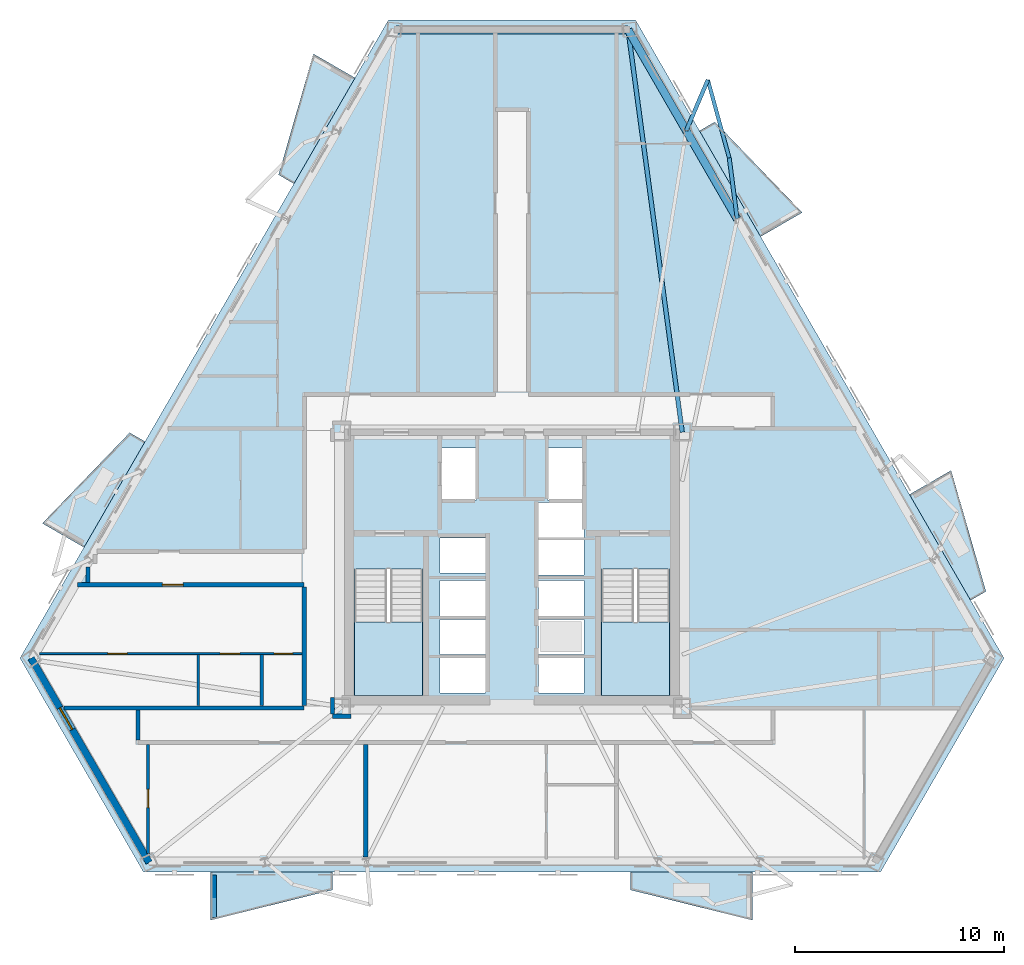
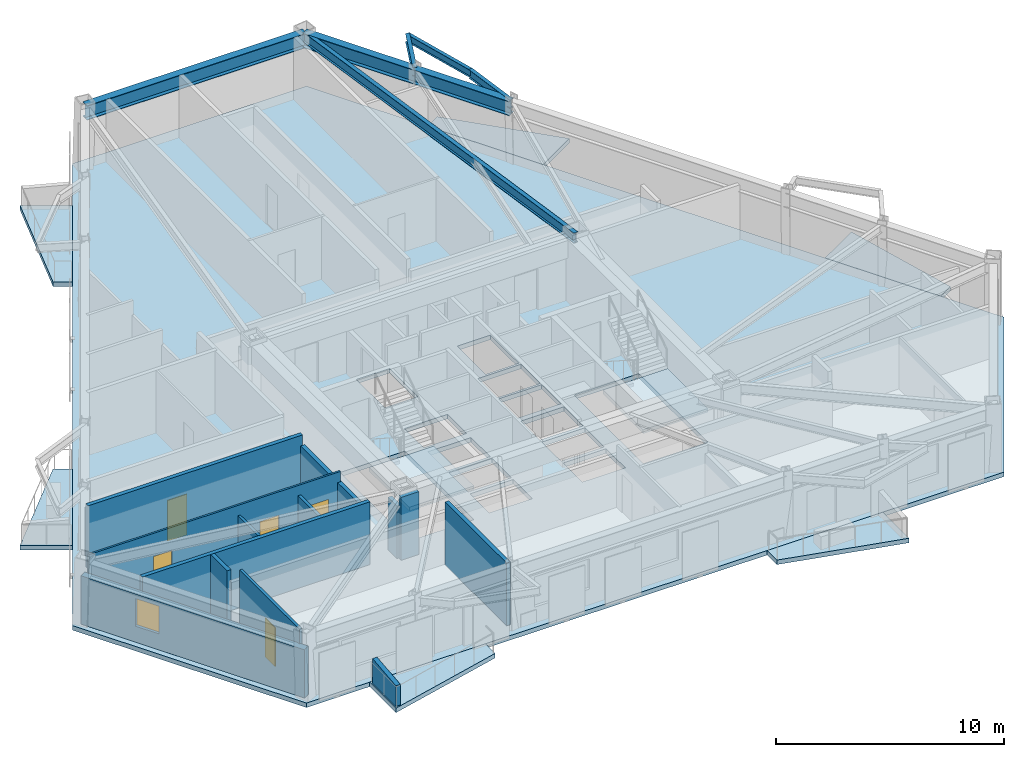
# One storey, part 2 of 11: 14 walls, 9 slabs, 7 beams, 5 doors, 1 window, 6 openings, 2 elements without a shape of their own.
"""IFC4 building model written with IfcOpenShell, lengths in metres."""

from ifc_helpers import new_model, si_unit, direction, frame, frame_2d, origin, origin_2d, place, context, subcontext, project, spatial, polyline, rectangle, i_section, outline, extrude, material, layer, layer_set, material_profile, profile_set, type_object, element, fill, aggregate, save


model = new_model("IFC4")

# Units and contexts
model_context = context("Model", 3, precision=1e-05, world=origin(), true_north=direction((0.0, 1.0)))
body_context = subcontext(model_context, "Body", "Model", "MODEL_VIEW")
ifc_project = project(units=[si_unit("LENGTHUNIT", "METRE"), si_unit("AREAUNIT", "SQUARE_METRE"), si_unit("VOLUMEUNIT", "CUBIC_METRE"), si_unit("PLANEANGLEUNIT", "RADIAN"), si_unit("MASSUNIT", "GRAM", prefix="KILO")], contexts=[model_context])

# Site, building, storey
site_placement = place(None, origin())
site = spatial("IfcSite", under=ifc_project, at=site_placement, CompositionType="ELEMENT")
building_placement = place(site_placement, origin())
building = spatial("IfcBuilding", under=site, at=building_placement, Name="Oramaril Tower", CompositionType="ELEMENT")
storey_placement = place(building_placement, frame((0.0, 0.0, 112.199951171875)))
storey = spatial("IfcBuildingStorey", under=building, at=storey_placement, Name="L29", CompositionType="ELEMENT", Elevation=112.199951171875)

# Beams
ifc_material_1 = material(Name="Steel ASTM A572 Gr 50", Category="steel")
ifc_material_profile_1 = material_profile(ifc_material_1, i_section(OverallWidth=0.19091796875, OverallDepth=0.45703125, WebThickness=0.009033203125, FlangeThickness=0.014404296875, at=origin_2d()), Name="W18X50")
ifc_profile_set_1 = profile_set([ifc_material_profile_1], Name="Steel ASTM A572 Gr 50")
beam_type_1 = type_object("IfcBeamType", Name="BT-BB1", PredefinedType="BEAM", material=ifc_profile_set_1)
beam_1_placement = place(storey_placement, frame((48.281494140625, 34.367431640625, 3.131591796875), z_axis=(-0.129651443553, 0.991559631684, 0.0), x_axis=(-0.991559631684, -0.129651443553, 0.0)))
element("IfcBeam", 1, at=beam_1_placement, inside=storey, type_object=beam_type_1, Name="L29 Balcony Column-Framed Cantilever 04.1", PredefinedType="BEAM", context=body_context, shape_type="SweptSolid", body=[
    extrude(i_section(OverallWidth=0.19091796875, OverallDepth=0.45703125, WebThickness=0.009033203125, FlangeThickness=0.014404296875, at=origin_2d()), origin(), (0.0, 0.0, 1.0), 2.94140625),
])
beam_2_placement = place(storey_placement, frame((45.843505859375, 38.58984375, 3.131591796875), z_axis=(0.391761940645, 0.920066618165, 0.0), x_axis=(-0.920066618165, 0.391761940645, 0.0)))
element("IfcBeam", 2, at=beam_2_placement, inside=storey, type_object=beam_type_1, Name="L29 Balcony Column-Framed Cantilever 04.2", PredefinedType="BEAM", context=body_context, shape_type="SweptSolid", body=[
    extrude(i_section(OverallWidth=0.19091796875, OverallDepth=0.45703125, WebThickness=0.009033203125, FlangeThickness=0.014404296875, at=origin_2d()), origin(), (0.0, 0.0, 1.0), 2.63720703125),
])
ifc_material_2 = material(Name="Steel ASTM A572 Gr 50", Category="steel")
ifc_material_profile_2 = material_profile(ifc_material_2, i_section(OverallWidth=0.2099609375, OverallDepth=0.535888671875, WebThickness=0.010986328125, FlangeThickness=0.017333984375, at=origin_2d()), Name="W21X68")
ifc_profile_set_2 = profile_set([ifc_material_profile_2], Name="Steel ASTM A572 Gr 50")
beam_type_2 = type_object("IfcBeamType", Name="BT-FB2", PredefinedType="BEAM", material=ifc_profile_set_2)
beam_3_placement = place(storey_placement, frame((45.64990234375, 24.14990234375, 3.092041015625), z_axis=(-0.133353180468, 0.991068579493, 0.0), x_axis=(-0.991068579493, -0.133353180468, 0.0)))
element("IfcBeam", 3, at=beam_3_placement, inside=storey, type_object=beam_type_2, Name="L29 Radial Primary Beam RB-05", PredefinedType="BEAM", context=body_context, shape_type="SweptSolid", body=[
    extrude(i_section(OverallWidth=0.2099609375, OverallDepth=0.535888671875, WebThickness=0.010986328125, FlangeThickness=0.017333984375, at=origin_2d()), origin(), (0.0, 0.0, 1.0), 19.439208984375),
])
ifc_material_3 = material(Name="Steel ASTM A572 Gr 50", Category="steel")
ifc_material_profile_3 = material_profile(ifc_material_3, i_section(OverallWidth=0.177978515625, OverallDepth=0.404052734375, WebThickness=0.007568359375, FlangeThickness=0.010986328125, at=origin_2d()), Name="W16X36")
ifc_profile_set_3 = profile_set([ifc_material_profile_3], Name="Steel ASTM A572 Gr 50")
beam_type_3 = type_object("IfcBeamType", Name="BT-SB1", PredefinedType="BEAM", material=ifc_profile_set_3)
beam_4_placement = place(storey_placement, frame((47.900146484375, 37.283935546875, 3.157958984375), z_axis=(-0.264440915482, 0.964401888332, 0.0), x_axis=(-0.964401888332, -0.264440915482, 0.0)))
element("IfcBeam", 4, at=beam_4_placement, inside=storey, type_object=beam_type_3, Name="L29 Balcony Edge Tie Beam 04", PredefinedType="BEAM", context=body_context, shape_type="SweptSolid", body=[
    extrude(i_section(OverallWidth=0.177978515625, OverallDepth=0.404052734375, WebThickness=0.007568359375, FlangeThickness=0.010986328125, at=origin_2d()), origin(), (0.0, 0.0, 1.0), 3.8701171875),
])
ifc_material_4 = material(Name="Steel ASTM A572 Gr 50", Category="steel")
ifc_material_profile_4 = material_profile(ifc_material_4, i_section(OverallWidth=0.381103515625, OverallDepth=0.77197265625, WebThickness=0.0166015625, FlangeThickness=0.027099609375, at=origin_2d()), Name="W30X173")
ifc_profile_set_4 = profile_set([ifc_material_profile_4], Name="Steel ASTM A572 Gr 50")
beam_type_4 = type_object("IfcBeamType", Name="BT-SP2", PredefinedType="SPANDREL", material=ifc_profile_set_4)
beam_5_placement = place(storey_placement, frame((48.281494140625, 34.367431640625, 2.97412109375), z_axis=(-0.500027305507, 0.866009638369, 0.0), x_axis=(-0.866009638369, -0.500027305507, 0.0)))
element("IfcBeam", 5, at=beam_5_placement, inside=storey, type_object=beam_type_4, Name="L29 Perimeter Spandrel 11", PredefinedType="SPANDREL", context=body_context, shape_type="SweptSolid", body=[
    extrude(i_section(OverallWidth=0.381103515625, OverallDepth=0.77197265625, WebThickness=0.0166015625, FlangeThickness=0.027099609375, at=origin_2d()), origin(), (0.0, 0.0, 1.0), 4.875732421875),
])
beam_6_placement = place(storey_placement, frame((45.843505859375, 38.58984375, 2.97412109375), z_axis=(-0.499970246607, 0.866042581232, 0.0), x_axis=(-0.866042581232, -0.499970246607, 0.0)))
element("IfcBeam", 6, at=beam_6_placement, inside=storey, type_object=beam_type_4, Name="L29 Perimeter Spandrel 12", PredefinedType="SPANDREL", context=body_context, shape_type="SweptSolid", body=[
    extrude(i_section(OverallWidth=0.381103515625, OverallDepth=0.77197265625, WebThickness=0.0166015625, FlangeThickness=0.027099609375, at=origin_2d()), origin(), (0.0, 0.0, 1.0), 5.572021484375),
])
beam_7_placement = place(storey_placement, frame((43.0576171875, 43.41552734375, 2.97412109375), z_axis=(-1.0, 0.0, 0.0), x_axis=(0.0, -1.0, 0.0)))
element("IfcBeam", 7, at=beam_7_placement, inside=storey, type_object=beam_type_4, Name="L29 Perimeter Spandrel 13", PredefinedType="SPANDREL", context=body_context, shape_type="SweptSolid", body=[
    extrude(i_section(OverallWidth=0.381103515625, OverallDepth=0.77197265625, WebThickness=0.0166015625, FlangeThickness=0.027099609375, at=origin_2d()), origin(), (0.0, 0.0, 1.0), 11.115234375),
])

# Slabs
ifc_material_5 = material(Name="Concrete C40/50", Category="concrete")
ifc_layer_1 = layer(ifc_material_5, 0.199951171875)
ifc_layer_set_1 = layer_set([ifc_layer_1], Name="SLT-BAL20")
slab_type_1 = type_object("IfcSlabType", Name="SLT-BAL20", PredefinedType="FLOOR", material=ifc_layer_set_1)
slab_1_placement = place(storey_placement, frame((0.0, 0.0, -0.239990234375)))
element("IfcSlab", 8, at=slab_1_placement, inside=storey, type_object=slab_type_1, Name="L29 Cantilevered Balcony Slab L29-BAL-S1", PredefinedType="FLOOR", context=body_context, shape_type="SweptSolid", body=[
    extrude(outline(polyline([(23.059326171875, 3.086669921875), (28.9091796875, 3.086669921875), (28.9091796875, 2.234619140625), (23.059326171875, 0.78466796875), (23.059326171875, 3.086669921875)])), origin(), (0.0, 0.0, 1.0), 0.239990234375),
])
slab_2_placement = place(storey_placement, frame((0.0, 0.0, -0.239990234375)))
element("IfcSlab", 9, at=slab_2_placement, inside=storey, type_object=slab_type_1, Name="L29 Cantilevered Balcony Slab L29-BAL-NE2", PredefinedType="FLOOR", context=body_context, shape_type="SweptSolid", body=[
    extrude(outline(polyline([(49.401123046875, 33.51318359375), (46.47607421875, 38.57958984375), (47.2138671875, 39.005615234375), (51.394775390625, 34.664306640625), (49.401123046875, 33.51318359375)])), origin(), (0.0, 0.0, 1.0), 0.239990234375),
])
slab_3_placement = place(storey_placement, frame((0.0, 0.0, -0.239990234375)))
element("IfcSlab", 10, at=slab_3_placement, inside=storey, type_object=slab_type_1, Name="L29 Cantilevered Balcony Slab L29-BAL-NW1", PredefinedType="FLOOR", context=body_context, shape_type="SweptSolid", body=[
    extrude(outline(polyline([(29.986328125, 41.112548828125), (27.061279296875, 36.04638671875), (26.323486328125, 36.472412109375), (27.992919921875, 42.263671875), (29.986328125, 41.112548828125)])), origin(), (0.0, 0.0, 1.0), 0.239990234375),
])
ifc_material_6 = material(Name="Concrete C50/60", Category="concrete")
ifc_layer_2 = layer(ifc_material_6, 0.239990234375)
ifc_layer_set_2 = layer_set([ifc_layer_2], Name="SLT-FLR24")
slab_type_2 = type_object("IfcSlabType", Name="SLT-FLR24", PredefinedType="FLOOR", material=ifc_layer_set_2)
slab_4_placement = place(storey_placement, frame((0.0, 0.0, -0.239990234375)))
element("IfcSlab", 11, at=slab_4_placement, inside=storey, type_object=slab_type_2, Name="L29 Structural Floor Slab", PredefinedType="FLOOR", context=body_context, shape_type="SweptSolid", body=[
    extrude(outline(polyline([(13.944091796875, 13.330322265625), (19.859375, 3.084716796875), (55.140625, 3.084716796875), (61.055908203125, 13.330322265625), (43.415283203125, 43.885009765625), (31.584716796875, 43.885009765625), (13.944091796875, 13.330322265625)]), holes=[polyline([(29.949951171875, 17.58935546875), (29.949951171875, 11.550048828125), (33.219970703125, 11.550048828125), (33.219970703125, 17.58935546875), (29.949951171875, 17.58935546875)]), polyline([(41.780029296875, 17.58935546875), (41.780029296875, 11.550048828125), (45.050048828125, 11.550048828125), (45.050048828125, 17.58935546875), (41.780029296875, 17.58935546875)]), polyline([(34.110107421875, 20.909912109375), (35.7900390625, 20.909912109375), (35.7900390625, 23.389892578125), (34.110107421875, 23.389892578125), (34.110107421875, 20.909912109375)]), polyline([(39.2099609375, 20.909912109375), (40.889892578125, 20.909912109375), (40.889892578125, 23.389892578125), (39.2099609375, 23.389892578125), (39.2099609375, 20.909912109375)]), polyline([(34.06005859375, 11.659912109375), (36.239990234375, 11.659912109375), (36.239990234375, 13.340087890625), (34.06005859375, 13.340087890625), (34.06005859375, 11.659912109375)]), polyline([(34.06005859375, 13.510009765625), (36.239990234375, 13.510009765625), (36.239990234375, 15.18994140625), (34.06005859375, 15.18994140625), (34.06005859375, 13.510009765625)]), polyline([(34.06005859375, 15.360107421875), (36.239990234375, 15.360107421875), (36.239990234375, 17.0400390625), (34.06005859375, 17.0400390625), (34.06005859375, 15.360107421875)]), polyline([(38.760009765625, 11.659912109375), (40.93994140625, 11.659912109375), (40.93994140625, 13.340087890625), (38.760009765625, 13.340087890625), (38.760009765625, 11.659912109375)]), polyline([(38.760009765625, 13.510009765625), (40.93994140625, 13.510009765625), (40.93994140625, 15.18994140625), (38.760009765625, 15.18994140625), (38.760009765625, 13.510009765625)]), polyline([(38.760009765625, 15.360107421875), (40.93994140625, 15.360107421875), (40.93994140625, 17.0400390625), (38.760009765625, 17.0400390625), (38.760009765625, 15.360107421875)]), polyline([(34.06005859375, 17.409912109375), (36.239990234375, 17.409912109375), (36.239990234375, 19.090087890625), (34.06005859375, 19.090087890625), (34.06005859375, 17.409912109375)]), polyline([(38.760009765625, 17.31005859375), (40.93994140625, 17.31005859375), (40.93994140625, 18.989990234375), (38.760009765625, 18.989990234375), (38.760009765625, 17.31005859375)]), polyline([(38.760009765625, 19.110107421875), (40.93994140625, 19.110107421875), (40.93994140625, 20.7900390625), (38.760009765625, 20.7900390625), (38.760009765625, 19.110107421875)])]), origin(), (0.0, 0.0, 1.0), 0.239990234375),
])

# Stair, slab
ifc_material_7 = material(Name="Concrete C50/60", Category="concrete")
stair_type = type_object("IfcStairType", Name="STT-DG-3600", PredefinedType="HALF_TURN_STAIR", material=ifc_material_7)
stair_1_placement = place(storey_placement, origin())
stair_1 = element("IfcStair", 12, at=stair_1_placement, inside=storey, type_object=stair_type, Name="L29 Protected PFP Exit Stair ST-1", PredefinedType="HALF_TURN_STAIR")
ifc_material_8 = material(Name="Concrete C50/60", Category="concrete")
ifc_layer_3 = layer(ifc_material_8, 0.199951171875)
ifc_layer_set_3 = layer_set([ifc_layer_3], Name="SLT-LND20")
slab_type_3 = type_object("IfcSlabType", Name="SLT-LND20", PredefinedType="LANDING", material=ifc_layer_set_3)
slab_5_placement = place(storey_placement, frame((0.0, 0.0, 1.60009765625)))
slab_5 = element("IfcSlab", 13, at=slab_5_placement, type_object=slab_type_3, Name="ST-1 landing 1", PredefinedType="LANDING", context=body_context, shape_type="SweptSolid", body=[
    extrude(outline(polyline([(29.949951171875, 15.070068359375), (29.949951171875, 11.550048828125), (33.219970703125, 11.550048828125), (33.219970703125, 15.070068359375), (29.949951171875, 15.070068359375)])), origin(), (0.0, 0.0, 1.0), 0.199951171875),
])
aggregate(stair_1, [slab_5])

stair_2_placement = place(storey_placement, origin())
stair_2 = element("IfcStair", 14, at=stair_2_placement, inside=storey, type_object=stair_type, Name="L29 Protected PFP Exit Stair ST-2", PredefinedType="HALF_TURN_STAIR")
slab_6_placement = place(storey_placement, frame((0.0, 0.0, 1.60009765625)))
slab_6 = element("IfcSlab", 15, at=slab_6_placement, type_object=slab_type_3, Name="ST-2 landing 1", PredefinedType="LANDING", context=body_context, shape_type="SweptSolid", body=[
    extrude(outline(polyline([(41.780029296875, 15.070068359375), (41.780029296875, 11.550048828125), (45.050048828125, 11.550048828125), (45.050048828125, 15.070068359375), (41.780029296875, 15.070068359375)])), origin(), (0.0, 0.0, 1.0), 0.199951171875),
])
aggregate(stair_2, [slab_6])

# Slabs
ifc_material_9 = material(Name="Concrete C40/50", Category="concrete")
ifc_layer_4 = layer(ifc_material_9, 0.18994140625)
ifc_layer_set_4 = layer_set([ifc_layer_4], Name="SLT-PLN19")
slab_type_4 = type_object("IfcSlabType", Name="SLT-PLN19", PredefinedType="FLOOR", material=ifc_layer_set_4)
slab_7_placement = place(storey_placement, frame((0.0, 0.0, -0.239990234375)))
element("IfcSlab", 16, at=slab_7_placement, inside=storey, type_object=slab_type_4, Name="L29 Tree Planter Balcony Slab L29-BAL-S2", PredefinedType="FLOOR", context=body_context, shape_type="SweptSolid", body=[
    extrude(outline(polyline([(43.165771484375, 3.086669921875), (49.015625, 3.086669921875), (49.015625, 0.78466796875), (43.165771484375, 2.234619140625), (43.165771484375, 3.086669921875)])), origin(), (0.0, 0.0, 1.0), 0.239990234375),
])
slab_8_placement = place(storey_placement, frame((0.0, 0.0, -0.239990234375)))
element("IfcSlab", 17, at=slab_8_placement, inside=storey, type_object=slab_type_4, Name="L29 Tree Planter Balcony Slab L29-BAL-NE1", PredefinedType="FLOOR", context=body_context, shape_type="SweptSolid", body=[
    extrude(outline(polyline([(59.454345703125, 16.1005859375), (56.529296875, 21.166748046875), (58.52294921875, 22.31787109375), (60.192138671875, 16.526611328125), (59.454345703125, 16.1005859375)])), origin(), (0.0, 0.0, 1.0), 0.239990234375),
])
slab_9_placement = place(storey_placement, frame((0.0, 0.0, -0.239990234375)))
element("IfcSlab", 18, at=slab_9_placement, inside=storey, type_object=slab_type_4, Name="L29 Tree Planter Balcony Slab L29-BAL-NW2", PredefinedType="FLOOR", context=body_context, shape_type="SweptSolid", body=[
    extrude(outline(polyline([(19.93310546875, 23.699951171875), (17.00830078125, 18.6337890625), (15.0146484375, 19.78466796875), (19.1953125, 24.1259765625), (19.93310546875, 23.699951171875)])), origin(), (0.0, 0.0, 1.0), 0.239990234375),
])

# Wall, opening, window
ifc_material_10 = material(Name="Warm Cream Limestone", Category="masonry")
ifc_layer_5 = layer(ifc_material_10, 0.340087890625)
ifc_layer_set_5 = layer_set([ifc_layer_5], Name="WT-EXT34")
wall_type_1 = type_object("IfcWallType", Name="WT-EXT34", PredefinedType="SOLIDWALL", material=ifc_layer_set_5)
wall_1_placement = place(storey_placement, frame((14.47509765625, 13.330322265625, 0.0), z_axis=(0.0, 0.0, 1.0), x_axis=(0.500010476433, -0.866019355129, 0.0)))
wall_1 = element("IfcWall", 19, at=wall_1_placement, inside=storey, type_object=wall_type_1, Name="L29 Tower Limestone Facade Wall 1M", PredefinedType="SOLIDWALL", context=body_context, shape_type="SweptSolid", body=[
    extrude(rectangle(XDim=11.299560546875, YDim=0.340087890625, at=frame_2d((5.64990234375, 0.0))), origin(), (0.0, 0.0, 1.0), 2.578125),
])
opening_1_placement = place(wall_1_placement, frame((2.743896484375, 0.0, 0.85009765625)))
opening_1 = element("IfcOpeningElement", 20, at=opening_1_placement, cuts=wall_1, Name="Opening WN-09", PredefinedType="OPENING", context=body_context, shape_type="SweptSolid", body=[
    extrude(rectangle(XDim=1.199951171875, YDim=1.47998046875, at=frame_2d((0.60009765625, 0.739990234375))), frame((0.0, 0.169921875, 0.0), z_axis=(0.0, -1.0, 0.0), x_axis=(1.0, 0.0, 0.0)), (0.0, 0.0, 1.0), 0.340087890625),
])
ifc_material_11 = material(Name="Coastal Low-E Insulated Glass", Category="glass")
window_type = type_object("IfcWindowType", Name="WNT-09", PartitioningType="SINGLE_PANEL", PredefinedType="WINDOW", material=ifc_material_11)
window_placement = place(opening_1_placement, origin())
window = element("IfcWindow", 21, at=window_placement, inside=storey, type_object=window_type, Name="L29 Apartment Bedroom Window WN-09", OverallHeight=1.47998046875, OverallWidth=1.199951171875, PartitioningType="SINGLE_PANEL", PredefinedType="WINDOW", context=body_context, shape_type="SweptSolid", body=[
    extrude(rectangle(XDim=1.199951171875, YDim=1.47998046875, at=frame_2d((0.60009765625, 0.739990234375))), frame((0.0, 0.030029296875, 0.0), z_axis=(0.0, -1.0, 0.0), x_axis=(1.0, 0.0, 0.0)), (0.0, 0.0, 1.0), 0.06005859375),
])
fill(opening_1, window)

# Wall
ifc_material_12 = material(Name="Concrete C40/50", Category="concrete")
ifc_layer_6 = layer(ifc_material_12, 0.22998046875)
ifc_layer_set_6 = layer_set([ifc_layer_6], Name="WT-PRP23")
wall_type_2 = type_object("IfcWallType", Name="WT-PRP23", PredefinedType="PARAPET", material=ifc_layer_set_6)
wall_2_placement = place(storey_placement, frame((23.2392578125, 2.94677734375, 0.0), z_axis=(0.0, 0.0, 1.0), x_axis=(0.0, -1.0, 0.0)))
element("IfcWall", 22, at=wall_2_placement, inside=storey, type_object=wall_type_2, Name="L29 Trapezoidal Balcony Frame Cheek L29-BAL-S1-L", PredefinedType="PARAPET", context=body_context, shape_type="SweptSolid", body=[
    extrude(outline(polyline([(0.0, 0.0), (2.0419921875, 0.0), (2.0419921875, 1.10009765625), (0.0, 1.320068359375), (0.0, 0.0)])), frame((0.0, 0.114990234375, 0.0), z_axis=(0.0, -1.0, 0.0), x_axis=(1.0, 0.0, 0.0)), (0.0, 0.0, 1.0), 0.22998046875),
])

# Wall, openings, doors
ifc_material_13 = material(Name="Acoustic Gypsum Board Partition")
ifc_layer_7 = layer(ifc_material_13, 0.10009765625)
ifc_layer_set_7 = layer_set([ifc_layer_7], Name="WT-PT10")
wall_type_3 = type_object("IfcWallType", Name="WT-PT10", PredefinedType="PARTITIONING", material=ifc_layer_set_7)
wall_3_placement = place(storey_placement, frame((14.8671875, 13.550048828125, 0.0), z_axis=(0.0, 0.0, 1.0), x_axis=(1.0, 0.0, 0.0)))
wall_3 = element("IfcWall", 23, at=wall_3_placement, inside=storey, type_object=wall_type_3, Name="L29 Interior Partition PT-10", PredefinedType="PARTITIONING", context=body_context, shape_type="SweptSolid", body=[
    extrude(rectangle(XDim=12.73291015625, YDim=0.10009765625, at=frame_2d((6.366455078125, 0.0))), origin(), (0.0, 0.0, 1.0), 3.360107421875),
])
opening_2_placement = place(wall_3_placement, frame((3.28125, 0.0, 0.0)))
opening_2 = element("IfcOpeningElement", 24, at=opening_2_placement, cuts=wall_3, Name="Opening D-L29-04", PredefinedType="OPENING", context=body_context, shape_type="SweptSolid", body=[
    extrude(rectangle(XDim=0.919921875, YDim=2.1201171875, at=frame_2d((0.4599609375, 1.06005859375))), frame((0.0, 0.050048828125, 0.0), z_axis=(0.0, -1.0, 0.0), x_axis=(1.0, 0.0, 0.0)), (0.0, 0.0, 1.0), 0.10009765625),
])
opening_3_placement = place(wall_3_placement, frame((8.65673828125, 0.0, 0.0)))
opening_3 = element("IfcOpeningElement", 25, at=opening_3_placement, cuts=wall_3, Name="Opening D-L29-05", PredefinedType="OPENING", context=body_context, shape_type="SweptSolid", body=[
    extrude(rectangle(XDim=0.949951171875, YDim=2.10009765625, at=frame_2d((0.47509765625, 1.050048828125))), frame((0.0, 0.050048828125, 0.0), z_axis=(0.0, -1.0, 0.0), x_axis=(1.0, 0.0, 0.0)), (0.0, 0.0, 1.0), 0.10009765625),
])
opening_4_placement = place(wall_3_placement, frame((11.24462890625, 0.0, 0.0)))
opening_4 = element("IfcOpeningElement", 26, at=opening_4_placement, cuts=wall_3, Name="Opening D-L29-06", PredefinedType="OPENING", context=body_context, shape_type="SweptSolid", body=[
    extrude(rectangle(XDim=0.8798828125, YDim=2.080078125, at=frame_2d((0.43994140625, 1.0400390625))), frame((0.0, 0.050048828125, 0.0), z_axis=(0.0, -1.0, 0.0), x_axis=(1.0, 0.0, 0.0)), (0.0, 0.0, 1.0), 0.10009765625),
])
ifc_material_14 = material(Name="FSC Brazilian Freijo Hardwood", Category="wood")
door_type_1 = type_object("IfcDoorType", Name="DT-BATH", OperationType="NOTDEFINED", PredefinedType="DOOR", material=ifc_material_14)
door_1_placement = place(opening_4_placement, origin())
door_1 = element("IfcDoor", 27, at=door_1_placement, inside=storey, type_object=door_type_1, Name="L29 Flat L29-U4 Bathroom Door D-L29-06", OperationType="SINGLE_SWING_LEFT", OverallHeight=2.080078125, OverallWidth=0.8798828125, PredefinedType="DOOR", context=body_context, shape_type="SweptSolid", body=[
    extrude(rectangle(XDim=0.8798828125, YDim=2.080078125, at=frame_2d((0.43994140625, 1.0400390625))), frame((0.0, 0.02490234375, 0.0), z_axis=(0.0, -1.0, 0.0), x_axis=(1.0, 0.0, 0.0)), (0.0, 0.0, 1.0), 0.050048828125),
])
fill(opening_4, door_1)
ifc_material_15 = material(Name="FSC Brazilian Freijo Hardwood", Category="wood")
door_type_2 = type_object("IfcDoorType", Name="DT-BED", OperationType="NOTDEFINED", PredefinedType="DOOR", material=ifc_material_15)
door_2_placement = place(opening_2_placement, origin())
door_2 = element("IfcDoor", 28, at=door_2_placement, inside=storey, type_object=door_type_2, Name="L29 Flat L29-U4 Master Bedroom Door D-L29-04", OperationType="SINGLE_SWING_LEFT", OverallHeight=2.1201171875, OverallWidth=0.919921875, PredefinedType="DOOR", context=body_context, shape_type="SweptSolid", body=[
    extrude(rectangle(XDim=0.919921875, YDim=2.1201171875, at=frame_2d((0.4599609375, 1.06005859375))), frame((0.0, 0.02490234375, 0.0), z_axis=(0.0, -1.0, 0.0), x_axis=(1.0, 0.0, 0.0)), (0.0, 0.0, 1.0), 0.050048828125),
])
fill(opening_2, door_2)
ifc_material_16 = material(Name="FSC Brazilian Freijo Hardwood", Category="wood")
door_type_3 = type_object("IfcDoorType", Name="DT-STDY", OperationType="NOTDEFINED", PredefinedType="DOOR", material=ifc_material_16)
door_3_placement = place(opening_3_placement, origin())
door_3 = element("IfcDoor", 29, at=door_3_placement, inside=storey, type_object=door_type_3, Name="L29 Flat L29-U4 Kitchen Door D-L29-05", OperationType="SINGLE_SWING_RIGHT", OverallHeight=2.10009765625, OverallWidth=0.949951171875, PredefinedType="DOOR", context=body_context, shape_type="SweptSolid", body=[
    extrude(rectangle(XDim=0.949951171875, YDim=2.10009765625, at=frame_2d((0.47509765625, 1.050048828125))), frame((0.0, 0.02490234375, 0.0), z_axis=(0.0, -1.0, 0.0), x_axis=(1.0, 0.0, 0.0)), (0.0, 0.0, 1.0), 0.050048828125),
])
fill(opening_3, door_3)

# Wall
ifc_material_17 = material(Name="Acoustic Gypsum Board Partition")
ifc_layer_8 = layer(ifc_material_17, 0.1201171875)
ifc_layer_set_8 = layer_set([ifc_layer_8], Name="WT-PT12")
wall_type_4 = type_object("IfcWallType", Name="WT-PT12", PredefinedType="PARTITIONING", material=ifc_layer_set_8)
wall_4_placement = place(storey_placement, frame((22.469970703125, 11.053955078125, 0.0), z_axis=(0.0, 0.0, 1.0), x_axis=(0.0, 1.0, 0.0)))
element("IfcWall", 30, at=wall_4_placement, inside=storey, type_object=wall_type_4, Name="L29 Interior Partition PT-12", PredefinedType="PARTITIONING", context=body_context, shape_type="SweptSolid", body=[
    extrude(rectangle(XDim=2.442138671875, YDim=0.1201171875, at=frame_2d((1.22119140625, 0.0))), origin(), (0.0, 0.0, 1.0), 2.81396484375),
])

# Wall, opening, door
ifc_material_18 = material(Name="Acoustic Gypsum Board Partition")
ifc_layer_9 = layer(ifc_material_18, 0.139892578125)
ifc_layer_set_9 = layer_set([ifc_layer_9], Name="WT-PT14")
wall_type_5 = type_object("IfcWallType", Name="WT-PT14", PredefinedType="PARTITIONING", material=ifc_layer_set_9)
wall_5_placement = place(storey_placement, frame((20.080078125, 3.970458984375, 0.0), z_axis=(0.0, 0.0, 1.0), x_axis=(0.0, 1.0, 0.0)))
wall_5 = element("IfcWall", 31, at=wall_5_placement, inside=storey, type_object=wall_type_5, Name="L29 Interior Partition PT-14", PredefinedType="PARTITIONING", context=body_context, shape_type="SweptSolid", body=[
    extrude(rectangle(XDim=5.2255859375, YDim=0.139892578125, at=frame_2d((2.61279296875, 0.0))), origin(), (0.0, 0.0, 1.0), 3.360107421875),
])
opening_5_placement = place(wall_5_placement, frame((2.201416015625, 0.0, 0.0)))
opening_5 = element("IfcOpeningElement", 32, at=opening_5_placement, cuts=wall_5, Name="Opening D-L29-18", PredefinedType="OPENING", context=body_context, shape_type="SweptSolid", body=[
    extrude(rectangle(XDim=0.8798828125, YDim=2.080078125, at=frame_2d((0.43994140625, 1.0400390625))), frame((0.0, 0.06982421875, 0.0), z_axis=(0.0, -1.0, 0.0), x_axis=(1.0, 0.0, 0.0)), (0.0, 0.0, 1.0), 0.139892578125),
])
door_4_placement = place(opening_5_placement, origin())
door_4 = element("IfcDoor", 33, at=door_4_placement, inside=storey, type_object=door_type_1, Name="L29 Flat L29-U1 Bathroom Door D-L29-18", OperationType="SINGLE_SWING_LEFT", OverallHeight=2.080078125, OverallWidth=0.8798828125, PredefinedType="DOOR", context=body_context, shape_type="SweptSolid", body=[
    extrude(rectangle(XDim=0.8798828125, YDim=2.080078125, at=frame_2d((0.43994140625, 1.0400390625))), frame((0.0, 0.02490234375, 0.0), z_axis=(0.0, -1.0, 0.0), x_axis=(1.0, 0.0, 0.0)), (0.0, 0.0, 1.0), 0.050048828125),
])
fill(opening_5, door_4)

# Walls
ifc_material_19 = material(Name="Acoustic Gypsum Board Partition")
ifc_layer_10 = layer(ifc_material_19, 0.159912109375)
ifc_layer_set_10 = layer_set([ifc_layer_10], Name="WT-PT16")
wall_type_6 = type_object("IfcWallType", Name="WT-PT16", PredefinedType="PARTITIONING", material=ifc_layer_set_10)
wall_6_placement = place(storey_placement, frame((25.52001953125, 11.053955078125, 0.0), z_axis=(0.0, 0.0, 1.0), x_axis=(0.0, 1.0, 0.0)))
element("IfcWall", 34, at=wall_6_placement, inside=storey, type_object=wall_type_6, Name="L29 Interior Partition PT-16", PredefinedType="PARTITIONING", context=body_context, shape_type="SweptSolid", body=[
    extrude(rectangle(XDim=2.442138671875, YDim=0.159912109375, at=frame_2d((1.22119140625, 0.0))), origin(), (0.0, 0.0, 1.0), 2.81396484375),
])
ifc_material_20 = material(Name="Autoclaved Cellular Concrete Block", Category="concrete")
ifc_layer_11 = layer(ifc_material_20, 0.199951171875)
ifc_layer_set_11 = layer_set([ifc_layer_11], Name="WT-PT20")
wall_type_7 = type_object("IfcWallType", Name="WT-PT20", PredefinedType="PARTITIONING", material=ifc_layer_set_11)
wall_7_placement = place(storey_placement, frame((28.905029296875, 10.550048828125, 0.0), z_axis=(0.0, 0.0, 1.0), x_axis=(1.0, 0.0, 0.0)))
element("IfcWall", 35, at=wall_7_placement, inside=storey, type_object=wall_type_7, Name="L29 Interior Partition PT-20", PredefinedType="PARTITIONING", context=body_context, shape_type="SweptSolid", body=[
    extrude(rectangle(XDim=0.889892578125, YDim=0.199951171875, at=frame_2d((0.44482421875, 0.0))), origin(), (0.0, 0.0, 1.0), 3.360107421875),
])
wall_8_placement = place(storey_placement, frame((16.05029296875, 10.949951171875, 0.0), z_axis=(0.0, 0.0, 1.0), x_axis=(1.0, 0.0, 0.0)))
element("IfcWall", 36, at=wall_8_placement, inside=storey, type_object=wall_type_7, Name="L29 Interior Partition PT-20", PredefinedType="PARTITIONING", context=body_context, shape_type="SweptSolid", body=[
    extrude(rectangle(XDim=11.499755859375, YDim=0.199951171875, at=frame_2d((5.75, 0.0))), origin(), (0.0, 0.0, 1.0), 3.360107421875),
])

# Wall, opening, door
wall_9_placement = place(storey_placement, frame((16.708251953125, 16.85009765625, 0.0), z_axis=(0.0, 0.0, 1.0), x_axis=(1.0, 0.0, 0.0)))
wall_9 = element("IfcWall", 37, at=wall_9_placement, inside=storey, type_object=wall_type_7, Name="L29 Interior Partition PT-20", PredefinedType="PARTITIONING", context=body_context, shape_type="SweptSolid", body=[
    extrude(rectangle(XDim=10.841796875, YDim=0.199951171875, at=frame_2d((5.4208984375, 0.0))), origin(), (0.0, 0.0, 1.0), 3.360107421875),
])
opening_6_placement = place(wall_9_placement, frame((4.051513671875, 0.0, 0.0)))
opening_6 = element("IfcOpeningElement", 38, at=opening_6_placement, cuts=wall_9, Name="Opening D-L29-10", PredefinedType="OPENING", context=body_context, shape_type="SweptSolid", body=[
    extrude(rectangle(XDim=1.0, YDim=2.179931640625, at=frame_2d((0.5, 1.08984375))), frame((0.0, 0.10009765625, 0.0), z_axis=(0.0, -1.0, 0.0), x_axis=(1.0, 0.0, 0.0)), (0.0, 0.0, 1.0), 0.199951171875),
])
ifc_material_21 = material(Name="FSC Brazilian Freijo Hardwood", Category="wood")
door_type_4 = type_object("IfcDoorType", Name="DT-APT", OperationType="NOTDEFINED", PredefinedType="DOOR", material=ifc_material_21)
door_5_placement = place(opening_6_placement, origin())
door_5 = element("IfcDoor", 39, at=door_5_placement, inside=storey, type_object=door_type_4, Name="L29 Flat L29-U4 Living and Dining Room Door D-L29-10", OperationType="SINGLE_SWING_LEFT", OverallHeight=2.179931640625, OverallWidth=1.0, PredefinedType="DOOR", context=body_context, shape_type="SweptSolid", body=[
    extrude(rectangle(XDim=1.0, YDim=2.179931640625, at=frame_2d((0.5, 1.08984375))), frame((0.0, 0.02490234375, 0.0), z_axis=(0.0, -1.0, 0.0), x_axis=(1.0, 0.0, 0.0)), (0.0, 0.0, 1.0), 0.050048828125),
])
fill(opening_6, door_5)

# Walls
wall_10_placement = place(storey_placement, frame((17.199951171875, 16.9541015625, 0.0), z_axis=(0.0, 0.0, 1.0), x_axis=(0.0, 1.0, 0.0)))
element("IfcWall", 40, at=wall_10_placement, inside=storey, type_object=wall_type_7, Name="L29 Interior Partition PT-20", PredefinedType="PARTITIONING", context=body_context, shape_type="SweptSolid", body=[
    extrude(rectangle(XDim=0.747802734375, YDim=0.199951171875, at=frame_2d((0.3740234375, 0.0))), origin(), (0.0, 0.0, 1.0), 2.578125),
])
wall_11_placement = place(storey_placement, frame((19.60009765625, 9.404052734375, 0.0), z_axis=(0.0, 0.0, 1.0), x_axis=(0.0, 1.0, 0.0)))
element("IfcWall", 41, at=wall_11_placement, inside=storey, type_object=wall_type_7, Name="L29 Interior Partition PT-20", PredefinedType="PARTITIONING", context=body_context, shape_type="SweptSolid", body=[
    extrude(rectangle(XDim=1.44189453125, YDim=0.199951171875, at=frame_2d((0.720947265625, 0.0))), origin(), (0.0, 0.0, 1.0), 3.360107421875),
])
wall_12_placement = place(storey_placement, frame((27.550048828125, 11.053955078125, 0.0), z_axis=(0.0, 0.0, 1.0), x_axis=(0.0, 1.0, 0.0)))
element("IfcWall", 42, at=wall_12_placement, inside=storey, type_object=wall_type_7, Name="L29 Interior Partition PT-20", PredefinedType="PARTITIONING", context=body_context, shape_type="SweptSolid", body=[
    extrude(rectangle(XDim=5.692138671875, YDim=0.199951171875, at=frame_2d((2.84619140625, 0.0))), origin(), (0.0, 0.0, 1.0), 2.81396484375),
])
wall_13_placement = place(storey_placement, frame((28.909912109375, 10.654052734375, 0.0), z_axis=(0.0, 0.0, 1.0), x_axis=(0.0, 1.0, 0.0)))
element("IfcWall", 43, at=wall_13_placement, inside=storey, type_object=wall_type_7, Name="L29 Interior Partition PT-20", PredefinedType="PARTITIONING", context=body_context, shape_type="SweptSolid", body=[
    extrude(rectangle(XDim=0.785888671875, YDim=0.199951171875, at=frame_2d((0.39306640625, 0.0))), origin(), (0.0, 0.0, 1.0), 2.81396484375),
])
wall_14_placement = place(storey_placement, frame((30.5, 3.803955078125, 0.0), z_axis=(0.0, 0.0, 1.0), x_axis=(0.0, 1.0, 0.0)))
element("IfcWall", 44, at=wall_14_placement, inside=storey, type_object=wall_type_7, Name="L29 Interior Partition PT-20", PredefinedType="PARTITIONING", context=body_context, shape_type="SweptSolid", body=[
    extrude(rectangle(XDim=5.39208984375, YDim=0.199951171875, at=frame_2d((2.696044921875, 0.0))), origin(), (0.0, 0.0, 1.0), 3.360107421875),
])

save(model, "model.ifc")
